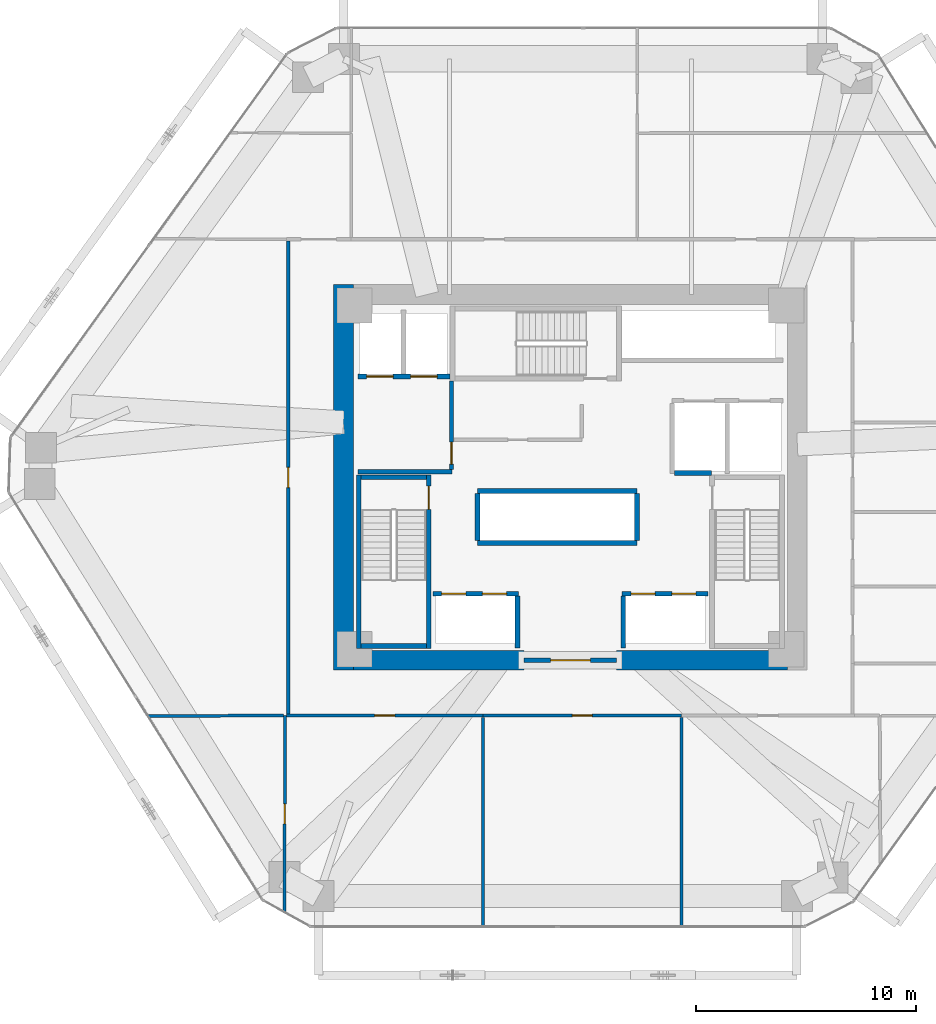
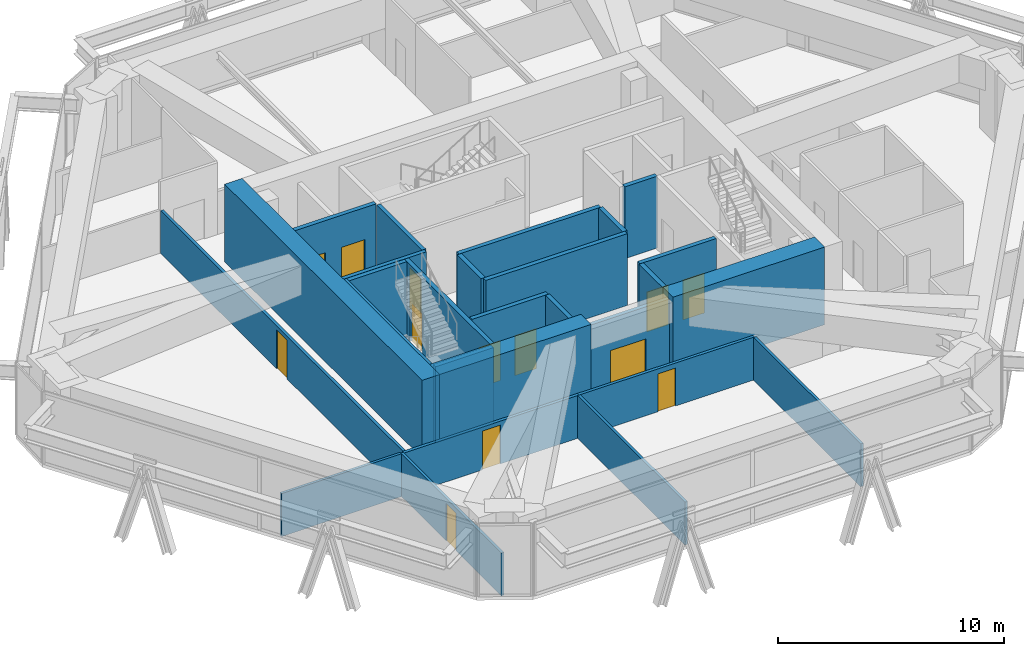
# One storey, part 13 of 16: 27 walls, 13 doors, 13 openings.
"""IFC4 building model written with IfcOpenShell, lengths in metres."""

from ifc_helpers import new_model, si_unit, direction, frame, frame_2d, origin, place, context, subcontext, project, spatial, rectangle, extrude, source, transform, mapped, material, layer, layer_set, type_object, type_shapes, element, fill, save


model = new_model("IFC4")

# Units and contexts
model_context = context("Model", 3, precision=1e-05, world=origin(), true_north=direction((0.0, 1.0)))
body_context = subcontext(model_context, "Body", "Model", "MODEL_VIEW")
ifc_project = project(units=[si_unit("LENGTHUNIT", "METRE"), si_unit("AREAUNIT", "SQUARE_METRE"), si_unit("VOLUMEUNIT", "CUBIC_METRE"), si_unit("PLANEANGLEUNIT", "RADIAN"), si_unit("MASSUNIT", "GRAM", prefix="KILO")], contexts=[model_context])

# Site, building, storey
site_placement = place(None, origin())
site = spatial("IfcSite", under=ifc_project, at=site_placement, CompositionType="ELEMENT")
building_placement = place(site_placement, origin())
building = spatial("IfcBuilding", under=site, at=building_placement, Name="Durnholm Broadcast Tower", CompositionType="ELEMENT")
storey_placement = place(building_placement, frame((0.0, 0.0, 84.300048828125)))
storey = spatial("IfcBuildingStorey", under=building, at=storey_placement, Name="L22", CompositionType="ELEMENT", Elevation=84.300048828125)

# Walls
ifc_material_1 = material(Name="Concrete C70/85", Category="concrete")
ifc_layer_1 = layer(ifc_material_1, 0.89990234375)
ifc_layer_set_1 = layer_set([ifc_layer_1], Name="Concrete C70/85")
wall_type_1 = type_object("IfcWallType", Name="WALL-CW-900", PredefinedType="SHEAR", material=ifc_layer_set_1)
wall_1_placement = place(storey_placement, frame((-10.300048828125, -8.75, 0.0), z_axis=(0.0, 0.0, 1.0), x_axis=(0.0, 1.0, 0.0)))
element("IfcWall", 1, at=wall_1_placement, inside=storey, type_object=wall_type_1, Name="L22 central core shear wall CW-WEST", PredefinedType="SHEAR", context=body_context, shape_type="SweptSolid", body=[
    extrude(rectangle(XDim=17.5, YDim=0.89990234375, at=frame_2d((8.75, 0.0))), origin(), (0.0, 0.0, 1.0), 4.199951171875),
])
for number, where, z_axis, x_axis, name in (
    (2, (-9.85009765625, -8.300048828125, 0.0), (0.0, 0.0, 1.0), (1.0, 0.0, 0.0), "L22 central core shear wall CW-S1"),
    (3, (2.10009765625, -8.300048828125, 0.0), (0.0, 0.0, 1.0), (1.0, 0.0, 0.0), "L22 central core shear wall CW-S2"),
):
    element("IfcWall", number, at=place(storey_placement, frame(where, z_axis=z_axis, x_axis=x_axis)), inside=storey, type_object=wall_type_1, Name=name, PredefinedType="SHEAR", context=body_context, shape_type="SweptSolid", body=[
        extrude(rectangle(XDim=7.75, YDim=0.89990234375, at=frame_2d((3.875, 0.0))), origin(), (0.0, 0.0, 1.0), 4.199951171875),
    ])

# Wall, opening, door
ifc_material_2 = material(Name="Fire-Rated Gypsum Shaftwall", Category="concrete")
ifc_layer_2 = layer(ifc_material_2, 0.199951171875)
ifc_layer_set_2 = layer_set([ifc_layer_2], Name="Fire-Rated Gypsum Shaftwall")
wall_type_2 = type_object("IfcWallType", Name="WALL-LOB-200", PredefinedType="SOLIDWALL", material=ifc_layer_set_2)
wall_2_placement = place(storey_placement, frame((-2.10009765625, -8.300048828125, 0.0), z_axis=(0.0, 0.0, 1.0), x_axis=(1.0, 0.0, 0.0)))
wall_2 = element("IfcWall", 4, at=wall_2_placement, inside=storey, type_object=wall_type_2, Name="L22 south core lobby fire screen", PredefinedType="SOLIDWALL", context=body_context, shape_type="SweptSolid", body=[
    extrude(rectangle(XDim=4.2001953125, YDim=0.199951171875, at=frame_2d((2.10009765625, 0.0))), origin(), (0.0, 0.0, 1.0), 3.885009765625),
])
opening_1_placement = place(wall_2_placement, frame((1.199951171875, 0.0, 0.0)))
opening_1 = element("IfcOpeningElement", 5, at=opening_1_placement, cuts=wall_2, Name="Opening DP-60", PredefinedType="OPENING", context=body_context, shape_type="SweptSolid", body=[
    extrude(rectangle(XDim=1.800048828125, YDim=2.14990234375, at=frame_2d((0.89990234375, 1.074951171875))), frame((0.0, 0.10986328125, 0.0), z_axis=(0.0, -1.0, 0.0), x_axis=(1.0, 0.0, 0.0)), (0.0, 0.0, 1.0), 0.219970703125),
])
ifc_material_3 = material(Name="Fire-Rated Double Corridor Door", Category="steel")
ifc_layer_3 = layer(ifc_material_3, 0.050048828125)
ifc_layer_set_3 = layer_set([ifc_layer_3], Name="Fire-Rated Double Corridor Door")
door_type_1 = type_object("IfcDoorType", Name="DOOR-PAIR-FD60", OperationType="DOUBLE_DOOR_SINGLE_SWING", PredefinedType="DOOR", material=ifc_layer_set_3)
shared_shape_1 = source(origin(), body_context, "Body", "SweptSolid", [
    extrude(rectangle(XDim=1.800048828125, YDim=2.14990234375, at=frame_2d((0.89990234375, 1.074951171875))), frame((0.0, 0.02490234375, 0.0), z_axis=(0.0, -1.0, 0.0), x_axis=(1.0, 0.0, 0.0)), (0.0, 0.0, 1.0), 0.050048828125),
])
type_shapes(door_type_1, [shared_shape_1])
door_1_placement = place(opening_1_placement, origin())
door_1 = element("IfcDoor", 6, at=door_1_placement, inside=storey, type_object=door_type_1, Name="L22 south core lobby double fire door", OperationType="DOUBLE_DOOR_SINGLE_SWING", OverallHeight=2.14990234375, OverallWidth=1.800048828125, PredefinedType="DOOR", context=body_context, shape_type="MappedRepresentation", body=[
    mapped(shared_shape_1, transform((0.0, 0.0, 0.0), x_axis=(1.0, 0.0, 0.0), y_axis=(0.0, 1.0, 0.0), z_axis=(0.0, 0.0, 1.0), scale=1.0)),
])
fill(opening_1, door_1)

# Wall
wall_3_placement = place(storey_placement, frame((-9.64990234375, 0.25, 0.0), z_axis=(0.0, 0.0, 1.0), x_axis=(1.0, 0.0, 0.0)))
element("IfcWall", 7, at=wall_3_placement, inside=storey, type_object=wall_type_2, Name="L22 Fire Service Access Elevator lobby south wall", PredefinedType="SOLIDWALL", context=body_context, shape_type="SweptSolid", body=[
    extrude(rectangle(XDim=4.27001953125, YDim=0.199951171875, at=frame_2d((2.135009765625, 0.0))), origin(), (0.0, 0.0, 1.0), 3.885009765625),
])

# Wall, opening, door
wall_4_placement = place(storey_placement, frame((-5.39990234375, 0.35400390625, 0.0), z_axis=(0.0, 0.0, 1.0), x_axis=(0.0, 1.0, 0.0)))
wall_4 = element("IfcWall", 8, at=wall_4_placement, inside=storey, type_object=wall_type_2, Name="L22 Fire Service Access Elevator lobby east fire wall", PredefinedType="SOLIDWALL", context=body_context, shape_type="SweptSolid", body=[
    extrude(rectangle(XDim=4.02587890625, YDim=0.199951171875, at=frame_2d((2.012939453125, 0.0))), origin(), (0.0, 0.0, 1.0), 3.885009765625),
])
opening_2_placement = place(wall_4_placement, frame((0.24609375, 0.0, 0.0)))
opening_2 = element("IfcOpeningElement", 9, at=opening_2_placement, cuts=wall_4, Name="Opening DL-60L", PredefinedType="OPENING", context=body_context, shape_type="SweptSolid", body=[
    extrude(rectangle(XDim=1.0, YDim=2.14990234375, at=frame_2d((0.5, 1.074951171875))), frame((0.0, 0.10986328125, 0.0), z_axis=(0.0, -1.0, 0.0), x_axis=(1.0, 0.0, 0.0)), (0.0, 0.0, 1.0), 0.219970703125),
])
ifc_material_4 = material(Name="Fire-Rated Timber/Steel Door", Category="steel")
ifc_layer_4 = layer(ifc_material_4, 0.050048828125)
ifc_layer_set_4 = layer_set([ifc_layer_4], Name="Fire-Rated Timber/Steel Door")
door_type_2 = type_object("IfcDoorType", Name="DOOR-LOB-FD60-L", OperationType="NOTDEFINED", PredefinedType="DOOR", material=ifc_layer_set_4)
shared_shape_2 = source(origin(), body_context, "Body", "SweptSolid", [
    extrude(rectangle(XDim=1.0, YDim=2.14990234375, at=frame_2d((0.5, 1.074951171875))), frame((0.0, 0.02490234375, 0.0), z_axis=(0.0, -1.0, 0.0), x_axis=(1.0, 0.0, 0.0)), (0.0, 0.0, 1.0), 0.050048828125),
])
type_shapes(door_type_2, [shared_shape_2])
door_2_placement = place(opening_2_placement, origin())
door_2 = element("IfcDoor", 10, at=door_2_placement, inside=storey, type_object=door_type_2, Name="L22 Fire Service Access Elevator lobby smoke door", OperationType="SINGLE_SWING_LEFT", OverallHeight=2.14990234375, OverallWidth=1.0, PredefinedType="DOOR", context=body_context, shape_type="MappedRepresentation", body=[
    mapped(shared_shape_2, transform((0.0, 0.0, 0.0), x_axis=(1.0, 0.0, 0.0), y_axis=(0.0, 1.0, 0.0), z_axis=(0.0, 0.0, 1.0), scale=1.0)),
])
fill(opening_2, door_2)

ifc_material_5 = material(Name="Gypsum Metal Stud Partition", Category="concrete")
ifc_layer_5 = layer(ifc_material_5, 0.135009765625)
ifc_layer_set_5 = layer_set([ifc_layer_5], Name="Gypsum Metal Stud Partition")
wall_type_3 = type_object("IfcWallType", Name="WALL-PART-135", PredefinedType="PARTITIONING", material=ifc_layer_set_5)
wall_5_placement = place(storey_placement, frame((-12.9599609375, -10.81005859375, 0.0), z_axis=(0.0, 0.0, 1.0), x_axis=(-0.002186743077, -0.999997609074, 0.0)))
wall_5 = element("IfcWall", 11, at=wall_5_placement, inside=storey, type_object=wall_type_3, Name="L22 room dividing partition 10.11", PredefinedType="PARTITIONING", context=body_context, shape_type="SweptSolid", body=[
    extrude(rectangle(XDim=8.931640625, YDim=0.135009765625, at=frame_2d((4.4658203125, 0.0))), origin(), (0.0, 0.0, 1.0), 2.320068359375),
])
opening_3_placement = place(wall_5_placement, frame((4.015869140625, 0.0, 0.0)))
opening_3 = element("IfcOpeningElement", 12, at=opening_3_placement, cuts=wall_5, Name="Opening DW-90L", PredefinedType="OPENING", context=body_context, shape_type="SweptSolid", body=[
    extrude(rectangle(XDim=0.89990234375, YDim=2.050048828125, at=frame_2d((0.449951171875, 1.02490234375))), frame((0.0, 0.07763671875, 0.0), z_axis=(0.0, -1.0, 0.0), x_axis=(1.0, 0.0, 0.0)), (0.0, 0.0, 1.0), 0.155029296875),
])
ifc_material_6 = material(Name="Laminate Restroom Door", Category="steel")
ifc_layer_6 = layer(ifc_material_6, 0.050048828125)
ifc_layer_set_6 = layer_set([ifc_layer_6], Name="Laminate Restroom Door")
door_type_3 = type_object("IfcDoorType", Name="DOOR-WC-900L", OperationType="NOTDEFINED", PredefinedType="DOOR", material=ifc_layer_set_6)
shared_shape_3 = source(origin(), body_context, "Body", "SweptSolid", [
    extrude(rectangle(XDim=0.89990234375, YDim=2.050048828125, at=frame_2d((0.449951171875, 1.02490234375))), frame((0.0, 0.02490234375, 0.0), z_axis=(0.0, -1.0, 0.0), x_axis=(1.0, 0.0, 0.0)), (0.0, 0.0, 1.0), 0.050048828125),
])
type_shapes(door_type_3, [shared_shape_3])
door_3_placement = place(opening_3_placement, origin())
door_3 = element("IfcDoor", 13, at=door_3_placement, inside=storey, type_object=door_type_3, Name="L22 Chief Editor Office connecting door", OperationType="SINGLE_SWING_LEFT", OverallHeight=2.050048828125, OverallWidth=0.89990234375, PredefinedType="DOOR", context=body_context, shape_type="MappedRepresentation", body=[
    mapped(shared_shape_3, transform((0.0, 0.0, 0.0), x_axis=(1.0, 0.0, 0.0), y_axis=(0.0, 1.0, 0.0), z_axis=(0.0, 0.0, 1.0), scale=1.0)),
])
fill(opening_3, door_3)

# Walls
wall_6_placement = place(storey_placement, frame((-19.18212890625, -10.831298828125, 0.0), z_axis=(0.0, 0.0, 1.0), x_axis=(0.999994173559, 0.003413626758, 0.0)))
element("IfcWall", 14, at=wall_6_placement, inside=storey, type_object=wall_type_3, Name="L22 room dividing partition 10.15", PredefinedType="PARTITIONING", context=body_context, shape_type="SweptSolid", body=[
    extrude(rectangle(XDim=6.150634765625, YDim=0.135009765625, at=frame_2d((3.0751953125, 0.0))), origin(), (0.0, 0.0, 1.0), 2.320068359375),
])
for number, where, z_axis, x_axis, name in (
    (15, (-3.9599609375, -10.888916015625, 0.0), (0.0, 0.0, 1.0), (0.0, -1.0, 0.0), "L22 room dividing partition 11.12"),
    (16, (5.0400390625, -10.888916015625, 0.0), (0.0, 0.0, 1.0), (0.0, -1.0, 0.0), "L22 room dividing partition 12.13"),
):
    element("IfcWall", number, at=place(storey_placement, frame(where, z_axis=z_axis, x_axis=x_axis)), inside=storey, type_object=wall_type_3, Name=name, PredefinedType="PARTITIONING", context=body_context, shape_type="SweptSolid", body=[
        extrude(rectangle(XDim=9.510986328125, YDim=0.135009765625, at=frame_2d((4.75537109375, 0.0))), origin(), (0.0, 0.0, 1.0), 2.320068359375),
    ])

# Wall, opening, door
ifc_material_7 = material(Name="Acoustic Gypsum Stud Partition", Category="concrete")
ifc_layer_7 = layer(ifc_material_7, 0.14990234375)
ifc_layer_set_7 = layer_set([ifc_layer_7], Name="Acoustic Gypsum Stud Partition")
wall_type_4 = type_object("IfcWallType", Name="WALL-PART-150", PredefinedType="PARTITIONING", material=ifc_layer_set_7)
wall_7_placement = place(storey_placement, frame((-12.889892578125, -10.81005859375, 0.0), z_axis=(0.0, 0.0, 1.0), x_axis=(1.0, 0.0, 0.0)))
wall_7 = element("IfcWall", 17, at=wall_7_placement, inside=storey, type_object=wall_type_4, Name="L22 Digital Lab Office corridor partition", PredefinedType="PARTITIONING", context=body_context, shape_type="SweptSolid", body=[
    extrude(rectangle(XDim=8.929931640625, YDim=0.14990234375, at=frame_2d((4.46484375, 0.0))), origin(), (0.0, 0.0, 1.0), 2.320068359375),
])
opening_4_placement = place(wall_7_placement, frame((4.0048828125, 0.0, 0.0)))
opening_4 = element("IfcOpeningElement", 18, at=opening_4_placement, cuts=wall_7, Name="Opening DR-92L", PredefinedType="OPENING", context=body_context, shape_type="SweptSolid", body=[
    extrude(rectangle(XDim=0.919921875, YDim=2.10009765625, at=frame_2d((0.4599609375, 1.050048828125))), frame((0.0, 0.0849609375, 0.0), z_axis=(0.0, -1.0, 0.0), x_axis=(1.0, 0.0, 0.0)), (0.0, 0.0, 1.0), 0.169921875),
])
ifc_material_8 = material(Name="Oak Veneer Office Door", Category="wood")
ifc_layer_8 = layer(ifc_material_8, 0.050048828125)
ifc_layer_set_8 = layer_set([ifc_layer_8], Name="Oak Veneer Office Door")
door_type_4 = type_object("IfcDoorType", Name="DOOR-RM-920L", OperationType="NOTDEFINED", PredefinedType="DOOR", material=ifc_layer_set_8)
shared_shape_4 = source(origin(), body_context, "Body", "SweptSolid", [
    extrude(rectangle(XDim=0.919921875, YDim=2.10009765625, at=frame_2d((0.4599609375, 1.050048828125))), frame((0.0, 0.02490234375, 0.0), z_axis=(0.0, -1.0, 0.0), x_axis=(1.0, 0.0, 0.0)), (0.0, 0.0, 1.0), 0.050048828125),
])
type_shapes(door_type_4, [shared_shape_4])
door_4_placement = place(opening_4_placement, origin())
door_4 = element("IfcDoor", 19, at=door_4_placement, inside=storey, type_object=door_type_4, Name="L22 Digital Lab Office entrance door", OperationType="SINGLE_SWING_LEFT", OverallHeight=2.10009765625, OverallWidth=0.919921875, PredefinedType="DOOR", context=body_context, shape_type="MappedRepresentation", body=[
    mapped(shared_shape_4, transform((0.0, 0.0, 0.0), x_axis=(1.0, 0.0, 0.0), y_axis=(0.0, 1.0, 0.0), z_axis=(0.0, 0.0, 1.0), scale=1.0)),
])
fill(opening_4, door_4)

wall_8_placement = place(storey_placement, frame((-3.9599609375, -10.81005859375, 0.0), z_axis=(0.0, 0.0, 1.0), x_axis=(1.0, 0.0, 0.0)))
wall_8 = element("IfcWall", 20, at=wall_8_placement, inside=storey, type_object=wall_type_4, Name="L22 Supply Store corridor partition", PredefinedType="PARTITIONING", context=body_context, shape_type="SweptSolid", body=[
    extrude(rectangle(XDim=9.0, YDim=0.14990234375, at=frame_2d((4.5, 0.0))), origin(), (0.0, 0.0, 1.0), 2.320068359375),
])
opening_5_placement = place(wall_8_placement, frame((4.050048828125, 0.0, 0.0)))
opening_5 = element("IfcOpeningElement", 21, at=opening_5_placement, cuts=wall_8, Name="Opening DC-60R", PredefinedType="OPENING", context=body_context, shape_type="SweptSolid", body=[
    extrude(rectangle(XDim=0.89990234375, YDim=2.050048828125, at=frame_2d((0.449951171875, 1.02490234375))), frame((0.0, 0.0849609375, 0.0), z_axis=(0.0, -1.0, 0.0), x_axis=(1.0, 0.0, 0.0)), (0.0, 0.0, 1.0), 0.169921875),
])
ifc_material_9 = material(Name="Fire-Rated Core Service Door", Category="steel")
ifc_layer_9 = layer(ifc_material_9, 0.050048828125)
ifc_layer_set_9 = layer_set([ifc_layer_9], Name="Fire-Rated Core Service Door")
door_type_5 = type_object("IfcDoorType", Name="DOOR-CORE-FD60-R", OperationType="NOTDEFINED", PredefinedType="DOOR", material=ifc_layer_set_9)
shared_shape_5 = source(origin(), body_context, "Body", "SweptSolid", [
    extrude(rectangle(XDim=0.89990234375, YDim=2.050048828125, at=frame_2d((0.449951171875, 1.02490234375))), frame((0.0, 0.02490234375, 0.0), z_axis=(0.0, -1.0, 0.0), x_axis=(1.0, 0.0, 0.0)), (0.0, 0.0, 1.0), 0.050048828125),
])
type_shapes(door_type_5, [shared_shape_5])
door_5_placement = place(opening_5_placement, origin())
door_5 = element("IfcDoor", 22, at=door_5_placement, inside=storey, type_object=door_type_5, Name="L22 Supply Store entrance door", OperationType="SINGLE_SWING_RIGHT", OverallHeight=2.050048828125, OverallWidth=0.89990234375, PredefinedType="DOOR", context=body_context, shape_type="MappedRepresentation", body=[
    mapped(shared_shape_5, transform((0.0, 0.0, 0.0), x_axis=(1.0, 0.0, 0.0), y_axis=(0.0, 1.0, 0.0), z_axis=(0.0, 0.0, 1.0), scale=1.0)),
])
fill(opening_5, door_5)

wall_9_placement = place(storey_placement, frame((-12.81005859375, 10.73095703125, 0.0), z_axis=(0.0, 0.0, 1.0), x_axis=(0.0, -1.0, 0.0)))
wall_9 = element("IfcWall", 23, at=wall_9_placement, inside=storey, type_object=wall_type_4, Name="L22 Bureau Meeting Room corridor partition", PredefinedType="PARTITIONING", context=body_context, shape_type="SweptSolid", body=[
    extrude(rectangle(XDim=21.4619140625, YDim=0.14990234375, at=frame_2d((10.73095703125, 0.0))), origin(), (0.0, 0.0, 1.0), 2.320068359375),
])
opening_6_placement = place(wall_9_placement, frame((10.27099609375, 0.0, 0.0)))
opening_6 = element("IfcOpeningElement", 24, at=opening_6_placement, cuts=wall_9, Name="Opening DR-92R", PredefinedType="OPENING", context=body_context, shape_type="SweptSolid", body=[
    extrude(rectangle(XDim=0.919921875, YDim=2.10009765625, at=frame_2d((0.4599609375, 1.050048828125))), frame((0.0, 0.0849609375, 0.0), z_axis=(0.0, -1.0, 0.0), x_axis=(1.0, 0.0, 0.0)), (0.0, 0.0, 1.0), 0.169921875),
])
ifc_layer_10 = layer(ifc_material_8, 0.050048828125)
ifc_layer_set_10 = layer_set([ifc_layer_10], Name="Oak Veneer Office Door")
door_type_6 = type_object("IfcDoorType", Name="DOOR-RM-920R", OperationType="NOTDEFINED", PredefinedType="DOOR", material=ifc_layer_set_10)
shared_shape_6 = source(origin(), body_context, "Body", "SweptSolid", [
    extrude(rectangle(XDim=0.919921875, YDim=2.10009765625, at=frame_2d((0.4599609375, 1.050048828125))), frame((0.0, 0.02490234375, 0.0), z_axis=(0.0, -1.0, 0.0), x_axis=(1.0, 0.0, 0.0)), (0.0, 0.0, 1.0), 0.050048828125),
])
type_shapes(door_type_6, [shared_shape_6])
door_6_placement = place(opening_6_placement, origin())
door_6 = element("IfcDoor", 25, at=door_6_placement, inside=storey, type_object=door_type_6, Name="L22 Bureau Meeting Room entrance door", OperationType="SINGLE_SWING_RIGHT", OverallHeight=2.10009765625, OverallWidth=0.919921875, PredefinedType="DOOR", context=body_context, shape_type="MappedRepresentation", body=[
    mapped(shared_shape_6, transform((0.0, 0.0, 0.0), x_axis=(1.0, 0.0, 0.0), y_axis=(0.0, 1.0, 0.0), z_axis=(0.0, 0.0, 1.0), scale=1.0)),
])
fill(opening_6, door_6)

# Wall, openings, doors
ifc_material_10 = material(Name="Concrete Blockwork C30/37", Category="masonry")
ifc_layer_11 = layer(ifc_material_10, 0.219970703125)
ifc_layer_set_11 = layer_set([ifc_layer_11], Name="Concrete Blockwork C30/37")
wall_type_5 = type_object("IfcWallType", Name="WALL-SHAFT-220", PredefinedType="SOLIDWALL", material=ifc_layer_set_11)
wall_10_placement = place(storey_placement, frame((-9.64990234375, 4.580078125, 0.0), z_axis=(0.0, 0.0, 1.0), x_axis=(1.0, 0.0, 0.0)))
wall_10 = element("IfcWall", 26, at=wall_10_placement, inside=storey, type_object=wall_type_5, Name="L22 FSAE hoistway front fire wall", PredefinedType="SOLIDWALL", context=body_context, shape_type="SweptSolid", body=[
    extrude(rectangle(XDim=4.1748046875, YDim=0.219970703125, at=frame_2d((2.08740234375, 0.0))), origin(), (0.0, 0.0, 1.0), 3.885009765625),
])
opening_7_placement = place(wall_10_placement, frame((0.39990234375, 0.0, 0.0)))
opening_7 = element("IfcOpeningElement", 27, at=opening_7_placement, cuts=wall_10, Name="Opening LD-FSAE-2", PredefinedType="OPENING", context=body_context, shape_type="SweptSolid", body=[
    extrude(rectangle(XDim=1.199951171875, YDim=2.14990234375, at=frame_2d((0.60009765625, 1.074951171875))), frame((0.0, 0.1201171875, 0.0), z_axis=(0.0, -1.0, 0.0), x_axis=(1.0, 0.0, 0.0)), (0.0, 0.0, 1.0), 0.239990234375),
])
opening_8_placement = place(wall_10_placement, frame((2.39990234375, 0.0, 0.0)))
opening_8 = element("IfcOpeningElement", 28, at=opening_8_placement, cuts=wall_10, Name="Opening LD-FSAE-1", PredefinedType="OPENING", context=body_context, shape_type="SweptSolid", body=[
    extrude(rectangle(XDim=1.199951171875, YDim=2.14990234375, at=frame_2d((0.60009765625, 1.074951171875))), frame((0.0, 0.1201171875, 0.0), z_axis=(0.0, -1.0, 0.0), x_axis=(1.0, 0.0, 0.0)), (0.0, 0.0, 1.0), 0.239990234375),
])
ifc_material_11 = material(Name="Fire Service Access Sliding Landing Door", Category="steel")
ifc_layer_12 = layer(ifc_material_11, 0.050048828125)
ifc_layer_set_12 = layer_set([ifc_layer_12], Name="Fire Service Access Sliding Landing Door")
door_type_7 = type_object("IfcDoorType", Name="DOOR-LIFT-FSAE", OperationType="DOUBLE_DOOR_SLIDING", PredefinedType="DOOR", material=ifc_layer_set_12)
shared_shape_7 = source(origin(), body_context, "Body", "SweptSolid", [
    extrude(rectangle(XDim=1.199951171875, YDim=2.14990234375, at=frame_2d((0.60009765625, 1.074951171875))), frame((0.0, 0.02490234375, 0.0), z_axis=(0.0, -1.0, 0.0), x_axis=(1.0, 0.0, 0.0)), (0.0, 0.0, 1.0), 0.050048828125),
])
type_shapes(door_type_7, [shared_shape_7])
door_7_placement = place(opening_7_placement, origin())
door_7 = element("IfcDoor", 29, at=door_7_placement, inside=storey, type_object=door_type_7, Name="L22 Fire Service Access Elevator FSAE-2 sliding landing door", OperationType="DOUBLE_DOOR_SLIDING", OverallHeight=2.14990234375, OverallWidth=1.199951171875, PredefinedType="DOOR", context=body_context, shape_type="MappedRepresentation", body=[
    mapped(shared_shape_7, transform((0.0, 0.0, 0.0), x_axis=(1.0, 0.0, 0.0), y_axis=(0.0, 1.0, 0.0), z_axis=(0.0, 0.0, 1.0), scale=1.0)),
])
fill(opening_7, door_7)
door_8_placement = place(opening_8_placement, origin())
door_8 = element("IfcDoor", 30, at=door_8_placement, inside=storey, type_object=door_type_7, Name="L22 Fire Service Access Elevator FSAE-1 sliding landing door", OperationType="DOUBLE_DOOR_SLIDING", OverallHeight=2.14990234375, OverallWidth=1.199951171875, PredefinedType="DOOR", context=body_context, shape_type="MappedRepresentation", body=[
    mapped(shared_shape_7, transform((0.0, 0.0, 0.0), x_axis=(1.0, 0.0, 0.0), y_axis=(0.0, 1.0, 0.0), z_axis=(0.0, 0.0, 1.0), scale=1.0)),
])
fill(opening_8, door_8)

# Wall
wall_11_placement = place(storey_placement, frame((4.73388671875, 0.199951171875, 0.0), z_axis=(0.0, 0.0, 1.0), x_axis=(1.0, 0.0, 0.0)))
element("IfcWall", 31, at=wall_11_placement, inside=storey, type_object=wall_type_5, Name="L22 freight service lift SVL-2 south wall", PredefinedType="SOLIDWALL", context=body_context, shape_type="SweptSolid", body=[
    extrude(rectangle(XDim=1.666015625, YDim=0.219970703125, at=frame_2d((0.8330078125, 0.0))), origin(), (0.0, 0.0, 1.0), 3.885009765625),
])

# Wall, openings, doors
wall_12_placement = place(storey_placement, frame((-6.25, -5.280029296875, 0.0), z_axis=(0.0, 0.0, 1.0), x_axis=(1.0, 0.0, 0.0)))
wall_12 = element("IfcWall", 32, at=wall_12_placement, inside=storey, type_object=wall_type_5, Name="L22 low-rise bank P1 west front wall", PredefinedType="SOLIDWALL", context=body_context, shape_type="SweptSolid", body=[
    extrude(rectangle(XDim=3.89990234375, YDim=0.219970703125, at=frame_2d((1.949951171875, 0.0))), origin(), (0.0, 0.0, 1.0), 3.885009765625),
])
opening_9_placement = place(wall_12_placement, frame((0.39990234375, 0.0, 0.0)))
opening_9 = element("IfcOpeningElement", 33, at=opening_9_placement, cuts=wall_12, Name="Opening LD-LP1-1", PredefinedType="OPENING", context=body_context, shape_type="SweptSolid", body=[
    extrude(rectangle(XDim=1.10009765625, YDim=2.14990234375, at=frame_2d((0.550048828125, 1.074951171875))), frame((0.0, 0.1201171875, 0.0), z_axis=(0.0, -1.0, 0.0), x_axis=(1.0, 0.0, 0.0)), (0.0, 0.0, 1.0), 0.239990234375),
])
opening_10_placement = place(wall_12_placement, frame((2.25, 0.0, 0.0)))
opening_10 = element("IfcOpeningElement", 34, at=opening_10_placement, cuts=wall_12, Name="Opening LD-LP1-2", PredefinedType="OPENING", context=body_context, shape_type="SweptSolid", body=[
    extrude(rectangle(XDim=1.10009765625, YDim=2.14990234375, at=frame_2d((0.550048828125, 1.074951171875))), frame((0.0, 0.1201171875, 0.0), z_axis=(0.0, -1.0, 0.0), x_axis=(1.0, 0.0, 0.0)), (0.0, 0.0, 1.0), 0.239990234375),
])
ifc_material_12 = material(Name="Stainless Steel Sliding Elevator Landing Door", Category="steel")
ifc_layer_13 = layer(ifc_material_12, 0.050048828125)
ifc_layer_set_13 = layer_set([ifc_layer_13], Name="Stainless Steel Sliding Elevator Landing Door")
door_type_8 = type_object("IfcDoorType", Name="DOOR-LIFT-PAX", OperationType="DOUBLE_DOOR_SLIDING", PredefinedType="DOOR", material=ifc_layer_set_13)
shared_shape_8 = source(origin(), body_context, "Body", "SweptSolid", [
    extrude(rectangle(XDim=1.10009765625, YDim=2.14990234375, at=frame_2d((0.550048828125, 1.074951171875))), frame((0.0, 0.02490234375, 0.0), z_axis=(0.0, -1.0, 0.0), x_axis=(1.0, 0.0, 0.0)), (0.0, 0.0, 1.0), 0.050048828125),
])
type_shapes(door_type_8, [shared_shape_8])
door_9_placement = place(opening_9_placement, origin())
door_9 = element("IfcDoor", 35, at=door_9_placement, inside=storey, type_object=door_type_8, Name="L22 passenger elevator LP1-1 sliding landing door", OperationType="DOUBLE_DOOR_SLIDING", OverallHeight=2.14990234375, OverallWidth=1.10009765625, PredefinedType="DOOR", context=body_context, shape_type="MappedRepresentation", body=[
    mapped(shared_shape_8, transform((0.0, 0.0, 0.0), x_axis=(1.0, 0.0, 0.0), y_axis=(0.0, 1.0, 0.0), z_axis=(0.0, 0.0, 1.0), scale=1.0)),
])
fill(opening_9, door_9)
door_10_placement = place(opening_10_placement, origin())
door_10 = element("IfcDoor", 36, at=door_10_placement, inside=storey, type_object=door_type_8, Name="L22 passenger elevator LP1-2 sliding landing door", OperationType="DOUBLE_DOOR_SLIDING", OverallHeight=2.14990234375, OverallWidth=1.10009765625, PredefinedType="DOOR", context=body_context, shape_type="MappedRepresentation", body=[
    mapped(shared_shape_8, transform((0.0, 0.0, 0.0), x_axis=(1.0, 0.0, 0.0), y_axis=(0.0, 1.0, 0.0), z_axis=(0.0, 0.0, 1.0), scale=1.0)),
])
fill(opening_10, door_10)

wall_13_placement = place(storey_placement, frame((2.35009765625, -5.280029296875, 0.0), z_axis=(0.0, 0.0, 1.0), x_axis=(1.0, 0.0, 0.0)))
wall_13 = element("IfcWall", 37, at=wall_13_placement, inside=storey, type_object=wall_type_5, Name="L22 low-rise bank P1 east front wall", PredefinedType="SOLIDWALL", context=body_context, shape_type="SweptSolid", body=[
    extrude(rectangle(XDim=3.89990234375, YDim=0.219970703125, at=frame_2d((1.949951171875, 0.0))), origin(), (0.0, 0.0, 1.0), 3.885009765625),
])
opening_11_placement = place(wall_13_placement, frame((0.39990234375, 0.0, 0.0)))
opening_11 = element("IfcOpeningElement", 38, at=opening_11_placement, cuts=wall_13, Name="Opening LD-LP1-3", PredefinedType="OPENING", context=body_context, shape_type="SweptSolid", body=[
    extrude(rectangle(XDim=1.10009765625, YDim=2.14990234375, at=frame_2d((0.550048828125, 1.074951171875))), frame((0.0, 0.1201171875, 0.0), z_axis=(0.0, -1.0, 0.0), x_axis=(1.0, 0.0, 0.0)), (0.0, 0.0, 1.0), 0.239990234375),
])
opening_12_placement = place(wall_13_placement, frame((2.25, 0.0, 0.0)))
opening_12 = element("IfcOpeningElement", 39, at=opening_12_placement, cuts=wall_13, Name="Opening LD-LP1-4", PredefinedType="OPENING", context=body_context, shape_type="SweptSolid", body=[
    extrude(rectangle(XDim=1.10009765625, YDim=2.14990234375, at=frame_2d((0.550048828125, 1.074951171875))), frame((0.0, 0.1201171875, 0.0), z_axis=(0.0, -1.0, 0.0), x_axis=(1.0, 0.0, 0.0)), (0.0, 0.0, 1.0), 0.239990234375),
])
door_11_placement = place(opening_11_placement, origin())
door_11 = element("IfcDoor", 40, at=door_11_placement, inside=storey, type_object=door_type_8, Name="L22 passenger elevator LP1-3 sliding landing door", OperationType="DOUBLE_DOOR_SLIDING", OverallHeight=2.14990234375, OverallWidth=1.10009765625, PredefinedType="DOOR", context=body_context, shape_type="MappedRepresentation", body=[
    mapped(shared_shape_8, transform((0.0, 0.0, 0.0), x_axis=(1.0, 0.0, 0.0), y_axis=(0.0, 1.0, 0.0), z_axis=(0.0, 0.0, 1.0), scale=1.0)),
])
fill(opening_11, door_11)
door_12_placement = place(opening_12_placement, origin())
door_12 = element("IfcDoor", 41, at=door_12_placement, inside=storey, type_object=door_type_8, Name="L22 passenger elevator LP1-4 sliding landing door", OperationType="DOUBLE_DOOR_SLIDING", OverallHeight=2.14990234375, OverallWidth=1.10009765625, PredefinedType="DOOR", context=body_context, shape_type="MappedRepresentation", body=[
    mapped(shared_shape_8, transform((0.0, 0.0, 0.0), x_axis=(1.0, 0.0, 0.0), y_axis=(0.0, 1.0, 0.0), z_axis=(0.0, 0.0, 1.0), scale=1.0)),
])
fill(opening_12, door_12)

# Walls
for number, where, z_axis, x_axis, name in (
    (42, (-2.39990234375, -7.75, 0.0), (0.0, 0.0, 1.0), (0.0, 1.0, 0.0), "L22 low-rise bank P1 west mouth wall"),
    (43, (2.39990234375, -7.75, 0.0), (0.0, 0.0, 1.0), (0.0, 1.0, 0.0), "L22 low-rise bank P1 east mouth wall"),
):
    element("IfcWall", number, at=place(storey_placement, frame(where, z_axis=z_axis, x_axis=x_axis)), inside=storey, type_object=wall_type_5, Name=name, PredefinedType="SOLIDWALL", context=body_context, shape_type="SweptSolid", body=[
        extrude(rectangle(XDim=2.35595703125, YDim=0.219970703125, at=frame_2d((1.177978515625, 0.0))), origin(), (0.0, 0.0, 1.0), 3.885009765625),
    ])
for number, where, z_axis, x_axis, name in (
    (44, (-4.219970703125, -2.97998046875, 0.0), (0.0, 0.0, 1.0), (1.0, 0.0, 0.0), "L22 mid-rise bank P2 south front wall"),
    (45, (-4.219970703125, -0.6201171875, 0.0), (0.0, 0.0, 1.0), (1.0, 0.0, 0.0), "L22 mid-rise bank P2 north shaft wall"),
):
    element("IfcWall", number, at=place(storey_placement, frame(where, z_axis=z_axis, x_axis=x_axis)), inside=storey, type_object=wall_type_5, Name=name, PredefinedType="SOLIDWALL", context=body_context, shape_type="SweptSolid", body=[
        extrude(rectangle(XDim=7.239990234375, YDim=0.219970703125, at=frame_2d((3.6201171875, 0.0))), origin(), (0.0, 0.0, 1.0), 3.885009765625),
    ])
for number, where, z_axis, x_axis, name in (
    (46, (-4.219970703125, -2.865966796875, 0.0), (0.0, 0.0, 1.0), (0.0, 1.0, 0.0), "L22 mid-rise bank P2 west shaft wall"),
    (47, (3.02001953125, -2.865966796875, 0.0), (0.0, 0.0, 1.0), (0.0, 1.0, 0.0), "L22 mid-rise bank P2 east shaft wall"),
):
    element("IfcWall", number, at=place(storey_placement, frame(where, z_axis=z_axis, x_axis=x_axis)), inside=storey, type_object=wall_type_5, Name=name, PredefinedType="SOLIDWALL", context=body_context, shape_type="SweptSolid", body=[
        extrude(rectangle(XDim=2.132080078125, YDim=0.219970703125, at=frame_2d((1.06591796875, 0.0))), origin(), (0.0, 0.0, 1.0), 3.885009765625),
    ])

# Wall, opening, door
ifc_material_13 = material(Name="Concrete C50/60", Category="concrete")
ifc_layer_14 = layer(ifc_material_13, 0.219970703125)
ifc_layer_set_14 = layer_set([ifc_layer_14], Name="Concrete C50/60")
wall_type_6 = type_object("IfcWallType", Name="WALL-SW-220", PredefinedType="SHEAR", material=ifc_layer_set_14)
wall_14_placement = place(storey_placement, frame((-6.429931640625, -7.77001953125, -0.239990234375), z_axis=(0.0, 0.0, 1.0), x_axis=(0.0, 1.0, 0.0)))
wall_14 = element("IfcWall", 48, at=wall_14_placement, inside=storey, type_object=wall_type_6, Name="L22 stair ST-1 structural shaft wall E", PredefinedType="SHEAR", context=body_context, shape_type="SweptSolid", body=[
    extrude(rectangle(XDim=7.89013671875, YDim=0.219970703125, at=frame_2d((3.945068359375, 0.0))), origin(), (0.0, 0.0, 1.0), 4.139892578125),
])
opening_13_placement = place(wall_14_placement, frame((6.320068359375, 0.0, 0.0)))
opening_13 = element("IfcOpeningElement", 49, at=opening_13_placement, cuts=wall_14, Name="Opening DS-90L", PredefinedType="OPENING", context=body_context, shape_type="SweptSolid", body=[
    extrude(rectangle(XDim=1.050048828125, YDim=2.14990234375, at=frame_2d((0.52490234375, 1.074951171875))), frame((0.0, 0.1201171875, 0.0), z_axis=(0.0, -1.0, 0.0), x_axis=(1.0, 0.0, 0.0)), (0.0, 0.0, 1.0), 0.239990234375),
])
ifc_material_14 = material(Name="Fire-Rated Steel Door", Category="steel")
ifc_layer_15 = layer(ifc_material_14, 0.050048828125)
ifc_layer_set_15 = layer_set([ifc_layer_15], Name="Fire-Rated Steel Door")
door_type_9 = type_object("IfcDoorType", Name="DOOR-ST-FD90-L", OperationType="NOTDEFINED", PredefinedType="DOOR", material=ifc_layer_set_15)
shared_shape_9 = source(origin(), body_context, "Body", "SweptSolid", [
    extrude(rectangle(XDim=1.050048828125, YDim=2.14990234375, at=frame_2d((0.52490234375, 1.074951171875))), frame((0.0, 0.02490234375, 0.0), z_axis=(0.0, -1.0, 0.0), x_axis=(1.0, 0.0, 0.0)), (0.0, 0.0, 1.0), 0.050048828125),
])
type_shapes(door_type_9, [shared_shape_9])
door_13_placement = place(opening_13_placement, origin())
door_13 = element("IfcDoor", 50, at=door_13_placement, inside=storey, type_object=door_type_9, Name="L22 exit stair ST-1 fire door", OperationType="SINGLE_SWING_LEFT", OverallHeight=2.14990234375, OverallWidth=1.050048828125, PredefinedType="DOOR", context=body_context, shape_type="MappedRepresentation", body=[
    mapped(shared_shape_9, transform((0.0, 0.0, 0.0), x_axis=(1.0, 0.0, 0.0), y_axis=(0.0, 1.0, 0.0), z_axis=(0.0, 0.0, 1.0), scale=1.0)),
])
fill(opening_13, door_13)

# Walls
wall_15_placement = place(storey_placement, frame((-9.610107421875, 0.1201171875, -0.239990234375), z_axis=(0.0, 0.0, 1.0), x_axis=(0.0, -1.0, 0.0)))
element("IfcWall", 51, at=wall_15_placement, inside=storey, type_object=wall_type_6, Name="L22 stair ST-1 structural shaft wall W", PredefinedType="SHEAR", context=body_context, shape_type="SweptSolid", body=[
    extrude(rectangle(XDim=7.89013671875, YDim=0.219970703125, at=frame_2d((3.945068359375, 0.0))), origin(), (0.0, 0.0, 1.0), 4.139892578125),
])
for number, where, z_axis, x_axis, name in (
    (52, (-9.5, -7.659912109375, -0.239990234375), (0.0, 0.0, 1.0), (1.0, 0.0, 0.0), "L22 stair ST-1 structural shaft wall S"),
    (53, (-6.5400390625, 0.010009765625, -0.239990234375), (0.0, 0.0, 1.0), (-1.0, 0.0, 0.0), "L22 stair ST-1 structural shaft wall N"),
):
    element("IfcWall", number, at=place(storey_placement, frame(where, z_axis=z_axis, x_axis=x_axis)), inside=storey, type_object=wall_type_6, Name=name, PredefinedType="SHEAR", context=body_context, shape_type="SweptSolid", body=[
        extrude(rectangle(XDim=2.9599609375, YDim=0.219970703125, at=frame_2d((1.47998046875, 0.0))), origin(), (0.0, 0.0, 1.0), 4.139892578125),
    ])

save(model, "model.ifc")
